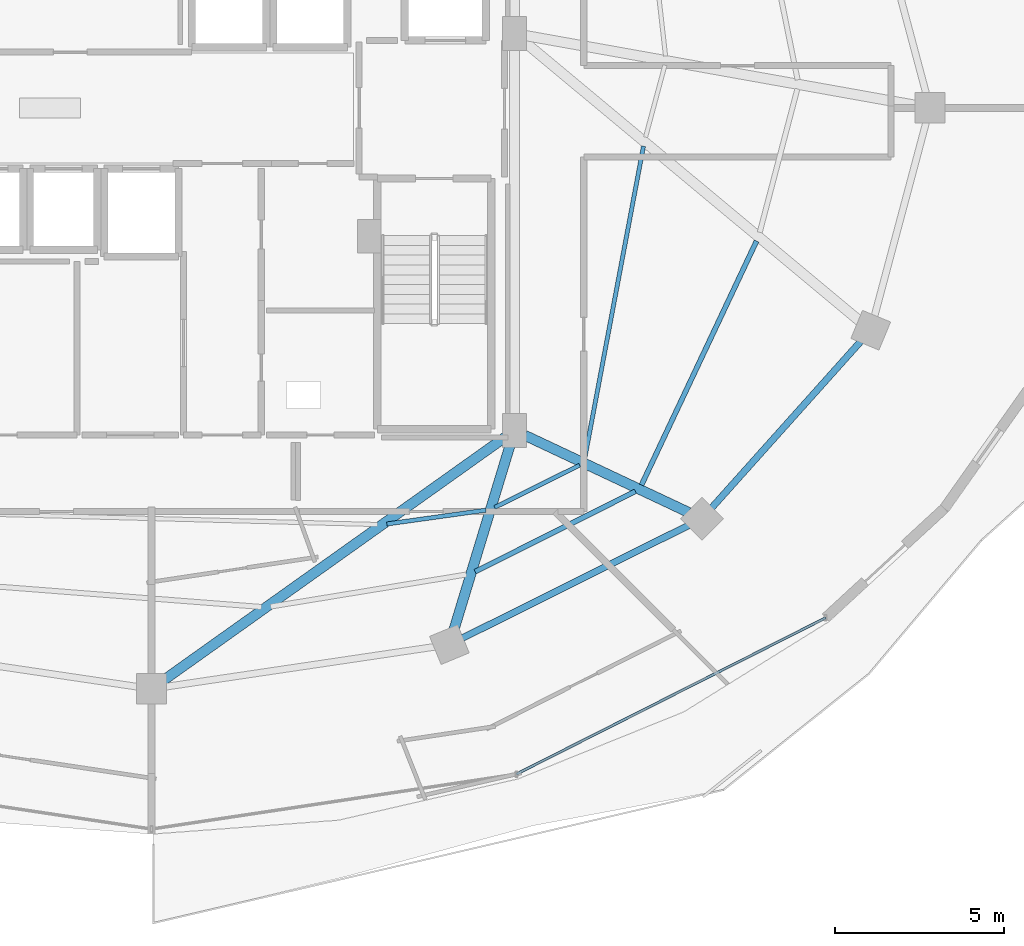
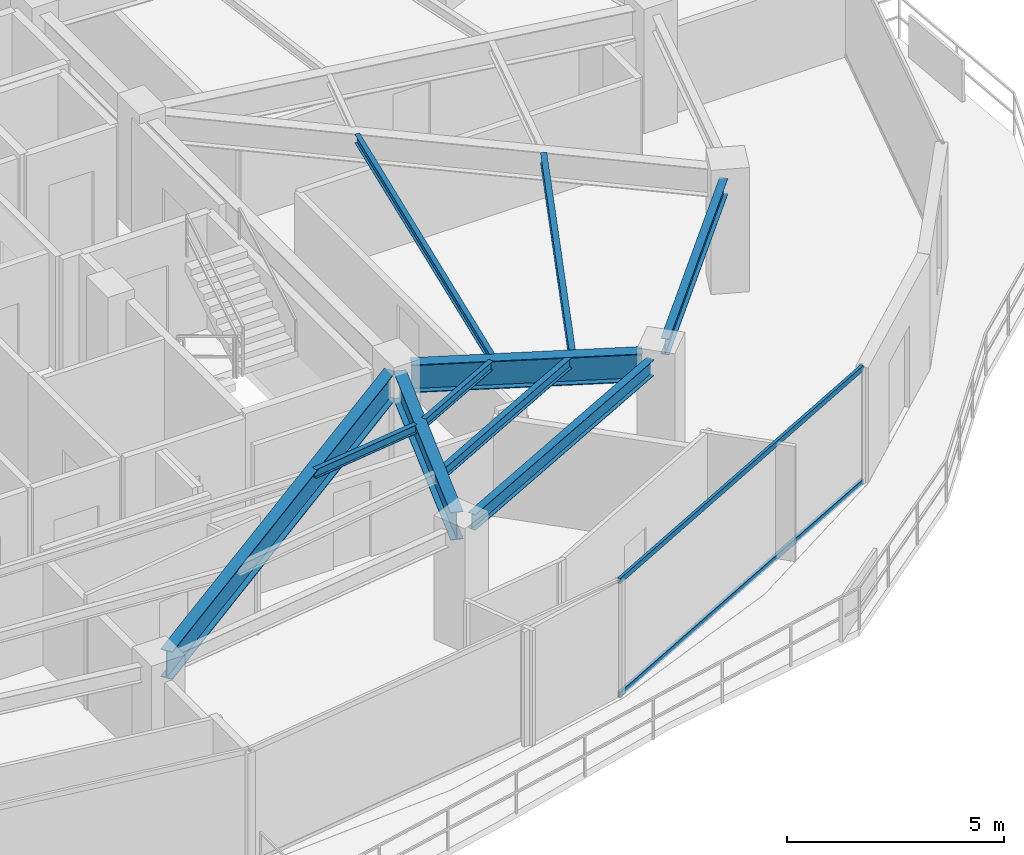
# One storey, part 12 of 31: 10 beams, 2 members, 1 element without a shape of its own.
"""IFC4 building model written with IfcOpenShell, lengths in metres."""

import ifcopenshell
import ifcopenshell.guid

model = None  # the IFC model being written
_history = None  # IfcOwnerHistory: only IFC2X3 demands one
_inside = {}  # id of a spatial element -> (the spatial element, [elements in it])
_under = {}  # id of a project, library or spatial element -> (it, [spatial elements below it])
_declared = {}  # id of a project -> (the project, [libraries it declares])
_typed = {}  # id of a type object -> (the type object, [elements of that type])
_made_of = {}  # id of a material, layer set ... -> (it, [elements and type objects made of it])


def new_model(schema):
    """Start an empty IFC model of exactly this schema.

    Asked for "IFC4X3", IfcOpenShell would pick the latest addendum, in which some entities
    have other attributes; the version numbers below select the first issue.
    IFC2X3 requires an IfcOwnerHistory on every rooted entity: one is made here for all.
    """
    global model, _history
    if schema == "IFC4X3":
        model = ifcopenshell.file(schema_version=(4, 3, 0, 0))
    else:
        model = ifcopenshell.file(schema=schema)
    _inside.clear()
    _under.clear()
    _declared.clear()
    _typed.clear()
    _made_of.clear()
    _history = None
    if model.schema == "IFC2X3":
        org = make("IfcOrganization", Name="unknown")
        user = make(
            "IfcPersonAndOrganization",
            ThePerson=make("IfcPerson", FamilyName="unknown"),
            TheOrganization=org,
        )
        app = make(
            "IfcApplication",
            ApplicationDeveloper=org,
            Version="unknown",
            ApplicationFullName="unknown",
            ApplicationIdentifier="unknown",
        )
        _history = make(
            "IfcOwnerHistory",
            OwningUser=user,
            OwningApplication=app,
            ChangeAction="ADDED",
            CreationDate=0,
        )
    return model


def make(cls, **values):
    """One entity of the class cls with the attributes given. An attribute that is None is left unset."""
    return model.create_entity(
        cls, **{name: value for name, value in values.items() if value is not None}
    )


def rooted(cls, **values):
    """An entity with a GlobalId (a new one), such as an element, a storey or a relation."""
    return make(cls, GlobalId=ifcopenshell.guid.new(), OwnerHistory=_history, **values)


def si_unit(unit_type, name, prefix=None):
    """IfcSIUnit, for example si_unit("LENGTHUNIT", "METRE", prefix="MILLI")."""
    return make("IfcSIUnit", UnitType=unit_type, Prefix=prefix, Name=name)


def assignment(units):
    """IfcUnitAssignment: the units of a project."""
    return None if units is None else make("IfcUnitAssignment", Units=units)


def point(xyz):
    """IfcCartesianPoint."""
    return None if xyz is None else make("IfcCartesianPoint", Coordinates=xyz)


def direction(xyz):
    """IfcDirection."""
    return None if xyz is None else make("IfcDirection", DirectionRatios=xyz)


def frame(location, z_axis=None, x_axis=None):
    """IfcAxis2Placement3D, a coordinate frame: its origin and axes. An axis left out is left unset."""
    return make(
        "IfcAxis2Placement3D",
        Location=point(location),
        Axis=direction(z_axis),
        RefDirection=direction(x_axis),
    )


def frame_2d(location, x_axis=None):
    """IfcAxis2Placement2D, a coordinate frame in the plane: its origin and x axis."""
    return make(
        "IfcAxis2Placement2D", Location=point(location), RefDirection=direction(x_axis)
    )


def origin():
    """The frame at (0, 0, 0) with its axes left unset."""
    return frame((0.0, 0.0, 0.0))


def origin_2d():
    """The frame at (0, 0) in the plane with its x axis left unset."""
    return frame_2d((0.0, 0.0))


def place(relative_to, where):
    """IfcLocalPlacement: puts the frame where relative to a parent placement (None: the world)."""
    return make(
        "IfcLocalPlacement", PlacementRelTo=relative_to, RelativePlacement=where
    )


def context(
    kind, dimensions, precision=None, world=None, true_north=None, identifier=None
):
    """IfcGeometricRepresentationContext, for example the 3D "Model" context."""
    return make(
        "IfcGeometricRepresentationContext",
        ContextIdentifier=identifier,
        ContextType=kind,
        CoordinateSpaceDimension=dimensions,
        Precision=precision,
        WorldCoordinateSystem=world,
        TrueNorth=true_north,
    )


def subcontext(parent, identifier, kind, view, scale=None):
    """IfcGeometricRepresentationSubContext, for example "Body" below "Model"."""
    return make(
        "IfcGeometricRepresentationSubContext",
        ContextIdentifier=identifier,
        ContextType=kind,
        ParentContext=parent,
        TargetScale=scale,
        TargetView=view,
    )


def project(units=None, contexts=None):
    """IfcProject with its units and contexts."""
    return rooted(
        "IfcProject",
        Name="project",
        RepresentationContexts=contexts,
        UnitsInContext=assignment(units),
    )


def spatial(cls, under=None, at=None, **own):
    """A site, building, storey or space (cls), placed at a placement, below another one or the project."""
    s = rooted(cls, ObjectPlacement=at, **own)
    if under is not None:
        _under.setdefault(under.id(), (under, []))[1].append(s)
    return s


def profile(cls, at=None, kind="AREA", **sizes):
    """A parametric profile (cls). Its sizes go by their IFC names, for example OverallWidth=200.0."""
    return make(cls, ProfileType=kind, Position=at, **sizes)


def hollow_rectangle(**sizes):
    """IfcRectangleHollowProfileDef."""
    return profile("IfcRectangleHollowProfileDef", **sizes)


def i_section(**sizes):
    """IfcIShapeProfileDef."""
    return profile("IfcIShapeProfileDef", **sizes)


def extrude(swept, where, along, depth):
    """IfcExtrudedAreaSolid: the profile swept, set in the frame where, extruded along a direction by depth."""
    return make(
        "IfcExtrudedAreaSolid",
        SweptArea=swept,
        Position=where,
        ExtrudedDirection=direction(along),
        Depth=depth,
    )


def shape(context_of_items, identifier, shape_type, items):
    """IfcShapeRepresentation: the items that make up one representation, for example the "Body"."""
    return make(
        "IfcShapeRepresentation",
        ContextOfItems=context_of_items,
        RepresentationIdentifier=identifier,
        RepresentationType=shape_type,
        Items=items,
    )


def material(Name=None, Category=None):
    """IfcMaterial."""
    return make("IfcMaterial", Name=Name, Category=Category)


def material_profile(
    of_material, cross_section, Name=None, Category=None, Priority=None
):
    """IfcMaterialProfile: a cross section and its material."""
    return make(
        "IfcMaterialProfile",
        Name=Name,
        Material=of_material,
        Profile=cross_section,
        Priority=Priority,
        Category=Category,
    )


def profile_set(profiles, Name=None, composite=None):
    """IfcMaterialProfileSet."""
    return make(
        "IfcMaterialProfileSet",
        Name=Name,
        MaterialProfiles=profiles,
        CompositeProfile=composite,
    )


def made_of(thing, what):
    """Note that an element or type object is made of a material, layer set ...; save() writes the relation."""
    if what is not None:
        _made_of.setdefault(what.id(), (what, []))[1].append(thing)
    return thing


def type_object(cls, material=None, **own):
    """A type object (cls), such as IfcWallType, which elements share."""
    return made_of(rooted(cls, **own), material)


def element(
    cls,
    number,
    at=None,
    inside=None,
    cuts=None,
    type_object=None,
    material=None,
    context=None,
    identifier="Body",
    shape_type=None,
    held_by="IfcProductDefinitionShape",
    body=None,
    shapes=None,
    **own,
):
    """One element of the class cls, such as IfcWall. Its Tag is "e" and its number.

    at: its placement. inside: the storey or other place that contains it. cuts: it is an
    opening in that element (IfcRelVoidsElement). A single representation is given by context,
    identifier, shape_type and body (its items); several are given by shapes. held_by: the class
    of the entity that holds the representations. save() writes the other relations.
    """
    e = rooted(cls, Tag="e%d" % number, ObjectPlacement=at, **own)
    if body is not None:
        shapes = [shape(context, identifier, shape_type, body)]
    if shapes is not None:
        e.Representation = make(held_by, Representations=shapes)
    if inside is not None:
        _inside.setdefault(inside.id(), (inside, []))[1].append(e)
    if cuts is not None:
        rooted(
            "IfcRelVoidsElement", RelatingBuildingElement=cuts, RelatedOpeningElement=e
        )
    if type_object is not None:
        _typed.setdefault(type_object.id(), (type_object, []))[1].append(e)
    return made_of(e, material)


def aggregate(whole, parts):
    """IfcRelAggregates: a whole, such as a stair, and the parts it consists of."""
    return rooted("IfcRelAggregates", RelatingObject=whole, RelatedObjects=parts)


def save(model, path):
    """Write the relations noted so far, then the file.

    IfcRelAggregates (storeys below a building ...), IfcRelContainedInSpatialStructure (elements
    in a storey), IfcRelDefinesByType, IfcRelAssociatesMaterial and IfcRelDeclares: one each for
    every whole, place, type object, material and project.
    """
    for whole, parts in _under.values():
        aggregate(whole, parts)
    for where, things in _inside.values():
        rooted(
            "IfcRelContainedInSpatialStructure",
            RelatedElements=things,
            RelatingStructure=where,
        )
    for kind, things in _typed.values():
        rooted("IfcRelDefinesByType", RelatedObjects=things, RelatingType=kind)
    for what, things in _made_of.values():
        rooted("IfcRelAssociatesMaterial", RelatedObjects=things, RelatingMaterial=what)
    for by, libraries in _declared.values():
        rooted("IfcRelDeclares", RelatingContext=by, RelatedDefinitions=libraries)
    model.write(path)


model = new_model("IFC4")

# Units and contexts
model_context = context("Model", 3, precision=1e-05, world=origin(), true_north=direction((0.0, 1.0)))
body_context = subcontext(model_context, "Body", "Model", "MODEL_VIEW")
ifc_project = project(units=[si_unit("LENGTHUNIT", "METRE"), si_unit("AREAUNIT", "SQUARE_METRE"), si_unit("VOLUMEUNIT", "CUBIC_METRE"), si_unit("PLANEANGLEUNIT", "RADIAN"), si_unit("MASSUNIT", "GRAM", prefix="KILO")], contexts=[model_context])

# Site, building, storey
site_placement = place(None, origin())
site = spatial("IfcSite", under=ifc_project, at=site_placement, CompositionType="ELEMENT")
building_placement = place(site_placement, origin())
building = spatial("IfcBuilding", under=site, at=building_placement, Name="Vorneva Point Tower", CompositionType="ELEMENT")
storey_placement = place(building_placement, frame((0.0, 0.0, 193.10009765625)))
storey = spatial("IfcBuildingStorey", under=building, at=storey_placement, Name="L52", CompositionType="ELEMENT", Elevation=193.10009765625)

# Beams
ifc_material_1 = material(Name="Steel S355", Category="steel")
ifc_material_profile_1 = material_profile(ifc_material_1, i_section(OverallWidth=0.300048828125, OverallDepth=0.7880859375, WebThickness=0.014404296875, FlangeThickness=0.02197265625, at=origin_2d()), Name="80Sh1")
ifc_profile_set_1 = profile_set([ifc_material_profile_1], Name="Steel S355")
beam_type_1 = type_object("IfcBeamType", Name="BM-GRD-80Sh1", PredefinedType="USERDEFINED", material=ifc_profile_set_1)
beam_1_placement = place(storey_placement, frame((38.35693359375, 9.053955078125, 2.845947265625), z_axis=(0.814749933852, 0.579812508737, 0.0), x_axis=(-0.579812508737, 0.814749933852, 0.0)))
element("IfcBeam", 1, at=beam_1_placement, inside=storey, type_object=beam_type_1, Name="L52 Radial Primary Girder 13", ObjectType="GIRDER", PredefinedType="USERDEFINED", context=body_context, shape_type="SweptSolid", body=[
    extrude(i_section(OverallWidth=0.300048828125, OverallDepth=0.7880859375, WebThickness=0.014404296875, FlangeThickness=0.02197265625, at=origin_2d()), origin(), (0.0, 0.0, 1.0), 12.416015625),
])
beam_2_placement = place(storey_placement, frame((46.948486328125, 10.5283203125, 2.845947265625), z_axis=(0.291025429135, 0.956715317948, 0.0), x_axis=(-0.956715317948, 0.291025429135, 0.0)))
element("IfcBeam", 2, at=beam_2_placement, inside=storey, type_object=beam_type_1, Name="L52 Radial Primary Girder 14", ObjectType="GIRDER", PredefinedType="USERDEFINED", context=body_context, shape_type="SweptSolid", body=[
    extrude(i_section(OverallWidth=0.300048828125, OverallDepth=0.7880859375, WebThickness=0.014404296875, FlangeThickness=0.02197265625, at=origin_2d()), origin(), (0.0, 0.0, 1.0), 5.849609375),
])
beam_3_placement = place(storey_placement, frame((53.902587890625, 14.0244140625, 2.845947265625), z_axis=(-0.904762899762, 0.42591559635, 0.0), x_axis=(-0.42591559635, -0.904762899762, 0.0)))
element("IfcBeam", 3, at=beam_3_placement, inside=storey, type_object=beam_type_1, Name="L52 Radial Primary Girder 15", ObjectType="GIRDER", PredefinedType="USERDEFINED", context=body_context, shape_type="SweptSolid", body=[
    extrude(i_section(OverallWidth=0.300048828125, OverallDepth=0.7880859375, WebThickness=0.014404296875, FlangeThickness=0.02197265625, at=origin_2d()), origin(), (0.0, 0.0, 1.0), 5.35498046875),
])
ifc_material_profile_2 = material_profile(ifc_material_1, i_section(OverallWidth=0.1240234375, OverallDepth=0.248046875, WebThickness=0.0048828125, FlangeThickness=0.008056640625, at=origin_2d()), Name="25B1")
ifc_profile_set_2 = profile_set([ifc_material_profile_2], Name="Steel S355")
beam_type_2 = type_object("IfcBeamType", Name="BM-JST-25B1", PredefinedType="JOIST", material=ifc_profile_set_2)
beam_4_placement = place(storey_placement, frame((44.968017578125, 13.680419921875, 3.115966796875), z_axis=(0.990354192347, 0.138558917797, 0.0), x_axis=(-0.138558917797, 0.990354192347, 0.0)))
element("IfcBeam", 4, at=beam_4_placement, inside=storey, type_object=beam_type_2, Name="L52 Secondary Floor Beam 2.13", PredefinedType="JOIST", context=body_context, shape_type="SweptSolid", body=[
    extrude(i_section(OverallWidth=0.1240234375, OverallDepth=0.248046875, WebThickness=0.0048828125, FlangeThickness=0.008056640625, at=origin_2d()), origin(), (0.0, 0.0, 1.0), 2.9619140625),
])
beam_5_placement = place(storey_placement, frame((48.16162109375, 14.17138671875, 3.115966796875), z_axis=(0.895432586212, 0.445197128865, 0.0), x_axis=(-0.445197128865, 0.895432586212, 0.0)))
element("IfcBeam", 5, at=beam_5_placement, inside=storey, type_object=beam_type_2, Name="L52 Secondary Floor Beam 2.14", PredefinedType="JOIST", context=body_context, shape_type="SweptSolid", body=[
    extrude(i_section(OverallWidth=0.1240234375, OverallDepth=0.248046875, WebThickness=0.0048828125, FlangeThickness=0.008056640625, at=origin_2d()), origin(), (0.0, 0.0, 1.0), 2.810546875),
])
beam_6_placement = place(storey_placement, frame((50.827392578125, 15.61962890625, 3.115966796875), z_axis=(0.184913715459, 0.982754759762, 0.0), x_axis=(-0.982754759762, 0.184913715459, 0.0)))
element("IfcBeam", 6, at=beam_6_placement, inside=storey, type_object=beam_type_2, Name="L52 Secondary Floor Beam 2.15", PredefinedType="JOIST", context=body_context, shape_type="SweptSolid", body=[
    extrude(i_section(OverallWidth=0.1240234375, OverallDepth=0.248046875, WebThickness=0.0048828125, FlangeThickness=0.008056640625, at=origin_2d()), origin(), (0.0, 0.0, 1.0), 9.406982421875),
])
ifc_material_profile_3 = material_profile(ifc_material_1, i_section(OverallWidth=0.14892578125, OverallDepth=0.298095703125, WebThickness=0.005615234375, FlangeThickness=0.008056640625, at=origin_2d()), Name="30B1")
ifc_profile_set_3 = profile_set([ifc_material_profile_3], Name="Steel S355")
beam_type_3 = type_object("IfcBeamType", Name="BM-JST-30B1", PredefinedType="JOIST", material=ifc_profile_set_3)
beam_7_placement = place(storey_placement, frame((47.58251953125, 12.26904296875, 3.0908203125), z_axis=(0.893966574165, 0.448133645552, 0.0), x_axis=(-0.448133645552, 0.893966574165, 0.0)))
element("IfcBeam", 7, at=beam_7_placement, inside=storey, type_object=beam_type_3, Name="L52 Secondary Floor Beam 1.14", PredefinedType="JOIST", context=body_context, shape_type="SweptSolid", body=[
    extrude(i_section(OverallWidth=0.14892578125, OverallDepth=0.298095703125, WebThickness=0.005615234375, FlangeThickness=0.008056640625, at=origin_2d()), origin(), (0.0, 0.0, 1.0), 5.3056640625),
])
beam_8_placement = place(storey_placement, frame((52.5078125, 14.83349609375, 3.0908203125), z_axis=(0.426607826977, 0.90443670976, 0.0), x_axis=(-0.90443670976, 0.426607826977, 0.0)))
element("IfcBeam", 8, at=beam_8_placement, inside=storey, type_object=beam_type_3, Name="L52 Secondary Floor Beam 1.15", PredefinedType="JOIST", context=body_context, shape_type="SweptSolid", body=[
    extrude(i_section(OverallWidth=0.14892578125, OverallDepth=0.298095703125, WebThickness=0.005615234375, FlangeThickness=0.008056640625, at=origin_2d()), origin(), (0.0, 0.0, 1.0), 7.988525390625),
])
ifc_material_profile_4 = material_profile(ifc_material_1, i_section(OverallWidth=0.198974609375, OverallDepth=0.446044921875, WebThickness=0.008056640625, FlangeThickness=0.011962890625, at=origin_2d()), Name="45B1")
ifc_profile_set_4 = profile_set([ifc_material_profile_4], Name="Steel S355")
beam_type_4 = type_object("IfcBeamType", Name="BM-SPN-45B1", PredefinedType="SPANDREL", material=ifc_profile_set_4)
beam_9_placement = place(storey_placement, frame((47.210205078125, 10.303466796875, 3.016845703125), z_axis=(0.894922371084, 0.446221861559, 0.0), x_axis=(-0.446221861559, 0.894922371084, 0.0)))
element("IfcBeam", 9, at=beam_9_placement, inside=storey, type_object=beam_type_4, Name="L52 Perimeter Spandrel Ring Beam 14", PredefinedType="SPANDREL", context=body_context, shape_type="SweptSolid", body=[
    extrude(i_section(OverallWidth=0.198974609375, OverallDepth=0.446044921875, WebThickness=0.008056640625, FlangeThickness=0.011962890625, at=origin_2d()), origin(), (0.0, 0.0, 1.0), 7.48583984375),
])
beam_10_placement = place(storey_placement, frame((54.589111328125, 14.161865234375, 3.016845703125), z_axis=(0.66706970547, 0.744995307397, 0.0), x_axis=(-0.744995307397, 0.66706970547, 0.0)))
element("IfcBeam", 10, at=beam_10_placement, inside=storey, type_object=beam_type_4, Name="L52 Perimeter Spandrel Ring Beam 15", PredefinedType="SPANDREL", context=body_context, shape_type="SweptSolid", body=[
    extrude(i_section(OverallWidth=0.198974609375, OverallDepth=0.446044921875, WebThickness=0.008056640625, FlangeThickness=0.011962890625, at=origin_2d()), origin(), (0.0, 0.0, 1.0), 6.6201171875),
])

# Curtain wall, members
ifc_material_2 = material(Name="Pale anodised aluminium", Category="aluminium")
curtain_wall_type = type_object("IfcCurtainWallType", Name="CW-RES-SYS", PredefinedType="NOTDEFINED", material=ifc_material_2)
curtain_wall_placement = place(storey_placement, origin())
curtain_wall = element("IfcCurtainWall", 11, at=curtain_wall_placement, inside=storey, type_object=curtain_wall_type, Name="L52 Unitised Curtain Wall CW-L52-R04", PredefinedType="NOTDEFINED")
ifc_material_profile_5 = material_profile(ifc_material_2, hollow_rectangle(XDim=0.074951171875, YDim=0.14990234375, WallThickness=0.00390625, at=origin_2d()), Name="AL-TRN 150x75x4")
ifc_profile_set_5 = profile_set([ifc_material_profile_5], Name="Pale anodised aluminium")
member_type = type_object("IfcMemberType", Name="CW-TRN-150", PredefinedType="USERDEFINED", material=ifc_profile_set_5)
member_1_placement = place(storey_placement, frame((48.80322265625, 6.275146484375, 0.02001953125), z_axis=(0.892510927709, 0.451025768576, 0.0), x_axis=(-0.451025768576, 0.892510927709, 0.0)))
member_1 = element("IfcMember", 12, at=member_1_placement, type_object=member_type, Name="CW-L52-R04 Transom 04.1", ObjectType="TRANSOM", PredefinedType="USERDEFINED", context=body_context, shape_type="SweptSolid", body=[
    extrude(hollow_rectangle(XDim=0.074951171875, YDim=0.14990234375, WallThickness=0.00390625, at=origin_2d()), origin(), (0.0, 0.0, 1.0), 10.261474609375),
])
member_2_placement = place(storey_placement, frame((48.80322265625, 6.275146484375, 3.219970703125), z_axis=(0.892510927709, 0.451025768576, 0.0), x_axis=(-0.451025768576, 0.892510927709, 0.0)))
member_2 = element("IfcMember", 13, at=member_2_placement, type_object=member_type, Name="CW-L52-R04 Transom 04.2", ObjectType="TRANSOM", PredefinedType="USERDEFINED", context=body_context, shape_type="SweptSolid", body=[
    extrude(hollow_rectangle(XDim=0.074951171875, YDim=0.14990234375, WallThickness=0.00390625, at=origin_2d()), origin(), (0.0, 0.0, 1.0), 10.261474609375),
])
aggregate(curtain_wall, [member_1, member_2])

save(model, "model.ifc")
